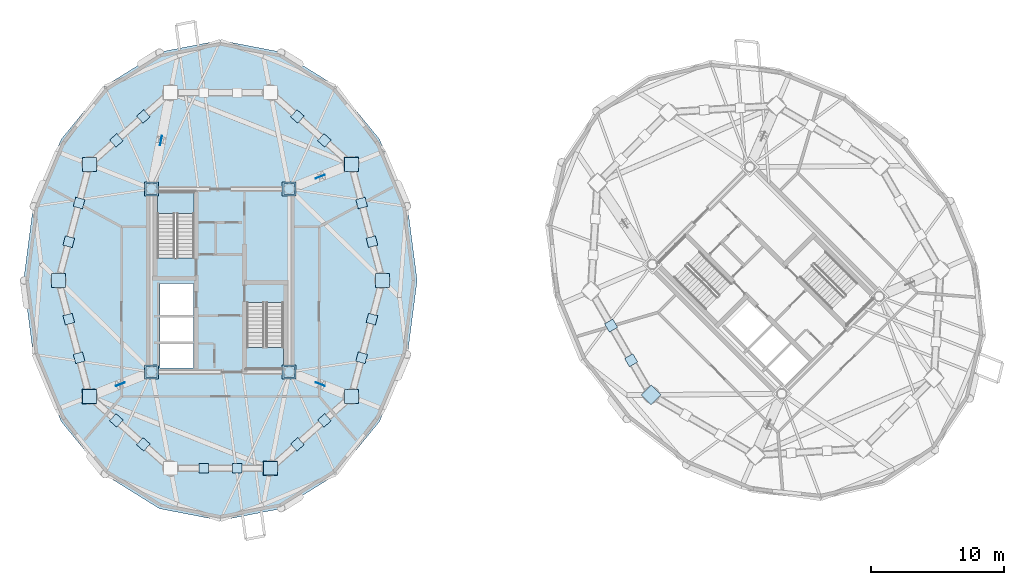
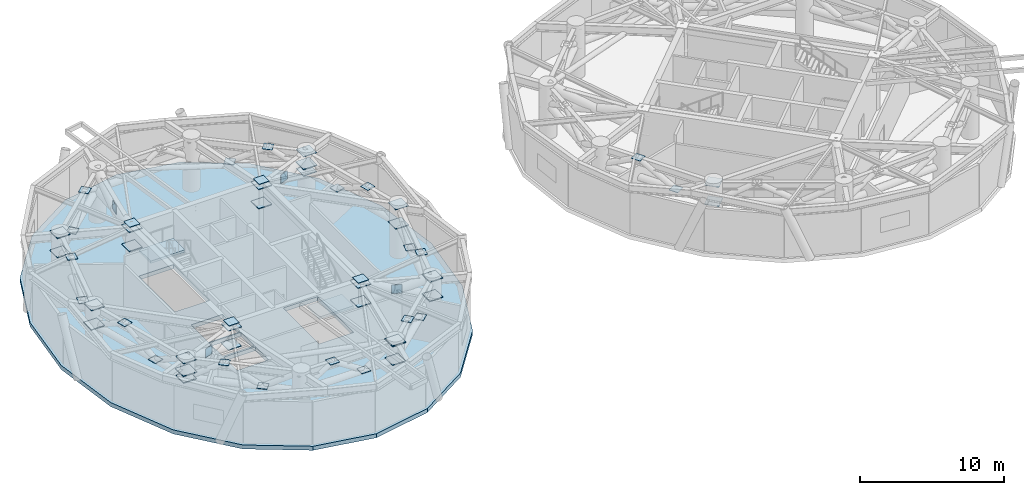
# One storey, part 6 of 16: 55 plates, 3 slabs, 2 elements without a shape of their own.
"""IFC4 building model written with IfcOpenShell, lengths in metres."""

from ifc_helpers import new_model, si_unit, direction, frame, origin, origin_2d, place, context, subcontext, project, spatial, polyline, rectangle, outline, extrude, source, transform, mapped, material, layer, layer_set, type_object, element, aggregate, save


model = new_model("IFC4")

# Units and contexts
model_context = context("Model", 3, precision=1e-05, world=origin(), true_north=direction((0.0, 1.0)))
body_context = subcontext(model_context, "Body", "Model", "MODEL_VIEW")
ifc_project = project(units=[si_unit("LENGTHUNIT", "METRE"), si_unit("AREAUNIT", "SQUARE_METRE"), si_unit("VOLUMEUNIT", "CUBIC_METRE"), si_unit("PLANEANGLEUNIT", "RADIAN"), si_unit("MASSUNIT", "GRAM", prefix="KILO")], contexts=[model_context])

# Site, building, storey
site_placement = place(None, origin())
site = spatial("IfcSite", under=ifc_project, at=site_placement, CompositionType="ELEMENT")
building_placement = place(site_placement, origin())
building = spatial("IfcBuilding", under=site, at=building_placement, Name="Cununo Teusaquillo Station Towers", CompositionType="ELEMENT")
storey_placement = place(building_placement, frame((0.0, 0.0, 147.10009765625)))
storey = spatial("IfcBuildingStorey", under=building, at=storey_placement, Name="L46", CompositionType="ELEMENT", Elevation=147.10009765625)

# Slab
ifc_material_1 = material(Name="Concrete C50/60", Category="concrete")
ifc_layer_1 = layer(ifc_material_1, 0.340087890625)
ifc_layer_set_1 = layer_set([ifc_layer_1], Name="Concrete C50/60")
slab_type_1 = type_object("IfcSlabType", Name="SLB-B01-340", PredefinedType="FLOOR", material=ifc_layer_set_1)
slab_1_placement = place(storey_placement, frame((0.0, 0.0, -0.340087890625)))
element("IfcSlab", 1, at=slab_1_placement, inside=storey, type_object=slab_type_1, Name="L46 Tower A Floor Slab", PredefinedType="FLOOR", context=body_context, shape_type="SweptSolid", body=[
    extrude(outline(polyline([(31.294921875, 24.5), (30.57080078125, 30.077880859375), (28.469482421875, 35.109619140625), (25.1962890625, 39.102783203125), (21.072021484375, 41.66650390625), (16.5, 42.550048828125), (11.927978515625, 41.66650390625), (7.8037109375, 39.102783203125), (4.530517578125, 35.109619140625), (2.42919921875, 30.077880859375), (1.705078125, 24.5), (2.42919921875, 18.922119140625), (4.530517578125, 13.890380859375), (7.8037109375, 9.897216796875), (11.927978515625, 7.33349609375), (16.5, 6.449951171875), (21.072021484375, 7.33349609375), (25.1962890625, 9.897216796875), (28.469482421875, 13.890380859375), (30.57080078125, 18.922119140625), (31.294921875, 24.5)]), holes=[polyline([(14.52001953125, 26.176025390625), (14.52001953125, 31.159912109375), (11.760009765625, 31.159912109375), (11.760009765625, 26.176025390625), (14.52001953125, 26.176025390625)]), polyline([(18.47998046875, 22.823974609375), (18.47998046875, 17.840087890625), (21.239990234375, 17.840087890625), (21.239990234375, 22.823974609375), (18.47998046875, 22.823974609375)]), polyline([(11.949951171875, 21.85009765625), (14.47998046875, 21.85009765625), (14.47998046875, 24.25), (11.949951171875, 24.25), (11.949951171875, 21.85009765625)]), polyline([(11.949951171875, 17.89990234375), (14.47998046875, 17.89990234375), (14.47998046875, 19.75), (11.949951171875, 19.75), (11.949951171875, 17.89990234375)]), polyline([(11.949951171875, 19.89990234375), (14.47998046875, 19.89990234375), (14.47998046875, 21.75), (11.949951171875, 21.75), (11.949951171875, 19.89990234375)])]), origin(), (0.0, 0.0, 1.0), 0.340087890625),
])

# Stair, slab
ifc_material_2 = material(Name="Concrete C50/60", Category="concrete")
stair_type = type_object("IfcStairType", Name="ST-TWR-1300", PredefinedType="HALF_TURN_STAIR", material=ifc_material_2)
stair_1_placement = place(storey_placement, origin())
stair_1 = element("IfcStair", 2, at=stair_1_placement, inside=storey, type_object=stair_type, Name="L46 Tower A Protected Core Exit Stair 1", PredefinedType="HALF_TURN_STAIR")
ifc_material_3 = material(Name="Concrete C50/60", Category="concrete")
ifc_layer_2 = layer(ifc_material_3, 0.199951171875)
ifc_layer_set_2 = layer_set([ifc_layer_2], Name="Concrete C50/60")
slab_type_2 = type_object("IfcSlabType", Name="SLB-STAIR-LND", PredefinedType="LANDING", material=ifc_layer_set_2)
slab_2_placement = place(storey_placement, frame((0.0, 0.0, 2.0498046875)))
slab_2 = element("IfcSlab", 3, at=slab_2_placement, type_object=slab_type_2, Name="ST-T1-1 landing 1", PredefinedType="LANDING", context=body_context, shape_type="SweptSolid", body=[
    extrude(outline(polyline([(14.52001953125, 29.530029296875), (14.52001953125, 31.159912109375), (11.760009765625, 31.159912109375), (11.760009765625, 29.530029296875), (14.52001953125, 29.530029296875)])), origin(), (0.0, 0.0, 1.0), 0.2001953125),
])
aggregate(stair_1, [slab_2])

stair_2_placement = place(storey_placement, origin())
stair_2 = element("IfcStair", 4, at=stair_2_placement, inside=storey, type_object=stair_type, Name="L46 Tower A Protected Core Exit Stair 2", PredefinedType="HALF_TURN_STAIR")
slab_3_placement = place(storey_placement, frame((0.0, 0.0, 2.0498046875)))
slab_3 = element("IfcSlab", 5, at=slab_3_placement, type_object=slab_type_2, Name="ST-T1-2 landing 1", PredefinedType="LANDING", context=body_context, shape_type="SweptSolid", body=[
    extrude(outline(polyline([(18.47998046875, 19.469970703125), (18.47998046875, 17.840087890625), (21.239990234375, 17.840087890625), (21.239990234375, 19.469970703125), (18.47998046875, 19.469970703125)])), origin(), (0.0, 0.0, 1.0), 0.2001953125),
])
aggregate(stair_2, [slab_3])

# Plates
ifc_material_4 = material(Name="Steel ASTM A572 Grade 50", Category="steel")
ifc_layer_3 = layer(ifc_material_4, 0.0400390625)
ifc_layer_set_3 = layer_set([ifc_layer_3], Name="Steel ASTM A572 Grade 50")
plate_type_1 = type_object("IfcPlateType", Name="PLT-NODE-CRN1", PredefinedType="USERDEFINED", material=ifc_layer_set_3)
shared_shape_1 = source(origin(), body_context, "Body", "SweptSolid", [
    extrude(rectangle(XDim=0.820068359375, YDim=0.820068359375, at=origin_2d()), origin(), (0.0, 0.0, 1.0), 0.0400390625),
])
for number, where, z_axis, x_axis, name in (
    (6, (11.324951171875, 17.6201171875, 4.5), (0.0, 0.0, 1.0), (1.0, 0.0, 0.0), "L46 Tower A Core Column Sealed Cap Plate 1"),
    (7, (11.324951171875, 31.3798828125, 4.5), (0.0, 0.0, 1.0), (1.0, 0.0, 0.0), "L46 Tower A Core Column Sealed Cap Plate 2"),
    (8, (21.675048828125, 17.6201171875, 4.5), (0.0, 0.0, 1.0), (1.0, 0.0, 0.0), "L46 Tower A Core Column Sealed Cap Plate 3"),
    (9, (21.675048828125, 31.3798828125, 4.5), (0.0, 0.0, 1.0), (1.0, 0.0, 0.0), "L46 Tower A Core Column Sealed Cap Plate 4"),
):
    element("IfcPlate", number, at=place(storey_placement, frame(where, z_axis=z_axis, x_axis=x_axis)), inside=storey, type_object=plate_type_1, Name=name, ObjectType="GUSSET PLATE", PredefinedType="USERDEFINED", context=body_context, shape_type="MappedRepresentation", body=[
        mapped(shared_shape_1, transform((0.0, 0.0, 0.0), x_axis=(1.0, 0.0, 0.0), y_axis=(0.0, 1.0, 0.0), z_axis=(0.0, 0.0, 1.0), scale=1.0)),
    ])
ifc_material_5 = material(Name="Steel ASTM A572 Grade 50", Category="steel")
ifc_layer_4 = layer(ifc_material_5, 0.030029296875)
ifc_layer_set_4 = layer_set([ifc_layer_4], Name="Steel ASTM A572 Grade 50")
plate_type_2 = type_object("IfcPlateType", Name="PLT-NODE-XBR", PredefinedType="USERDEFINED", material=ifc_layer_set_4)
shared_shape_2 = source(origin(), body_context, "Body", "SweptSolid", [
    extrude(rectangle(XDim=0.719970703125, YDim=0.030029296875, at=origin_2d()), origin(), (0.0, 0.0, 1.0), 0.719970703125),
])
for number, where, z_axis, x_axis, name in (
    (10, (12.03173828125, 35.001708984375, 3.02978515625), (0.0, 0.0, 1.0), (0.191494253877, 0.981493734433, 0.0), "L46 Tower A Outrigger X-Crossing Gusset XBP1 1"),
    (11, (24.01123046875, 32.30419921875, 3.02978515625), (0.0, 0.0, 1.0), (0.929840721582, 0.367962270469, 0.0), "L46 Tower A Outrigger X-Crossing Gusset XBP1 2"),
    (12, (8.98876953125, 16.69580078125, 3.02978515625), (0.0, 0.0, 1.0), (-0.929840721582, -0.367962270469, 0.0), "L46 Tower A Outrigger X-Crossing Gusset XBP1 3"),
    (13, (24.01123046875, 16.69580078125, 3.02978515625), (0.0, 0.0, 1.0), (0.929840721582, -0.367962270469, 0.0), "L46 Tower A Outrigger X-Crossing Gusset XBP1 4"),
):
    element("IfcPlate", number, at=place(storey_placement, frame(where, z_axis=z_axis, x_axis=x_axis)), inside=storey, type_object=plate_type_2, Name=name, ObjectType="GUSSET PLATE", PredefinedType="USERDEFINED", context=body_context, shape_type="MappedRepresentation", body=[
        mapped(shared_shape_2, transform((0.0, 0.0, 0.0), x_axis=(1.0, 0.0, 0.0), y_axis=(0.0, 1.0, 0.0), z_axis=(0.0, 0.0, 1.0), scale=1.0)),
    ])
ifc_material_6 = material(Name="Steel ASTM A572 Grade 50", Category="steel")
ifc_layer_5 = layer(ifc_material_6, 0.054931640625)
ifc_layer_set_5 = layer_set([ifc_layer_5], Name="Steel ASTM A572 Grade 50")
plate_type_3 = type_object("IfcPlateType", Name="PLT-NODE-OTN1", PredefinedType="USERDEFINED", material=ifc_layer_set_5)
shared_shape_3 = source(origin(), body_context, "Body", "SweptSolid", [
    extrude(rectangle(XDim=1.050048828125, YDim=1.050048828125, at=origin_2d()), origin(), (0.0, 0.0, 1.0), 0.054931640625),
])
for number, where, z_axis, x_axis, name in (
    (14, (11.324951171875, 31.3798828125, 2.55224609375), (0.0, 0.0, 1.0), (1.0, 0.0, 0.0), "L46 Tower A Outrigger Core Gusset OTN1 1.CB"),
    (15, (11.324951171875, 31.3798828125, 4.17236328125), (0.0, 0.0, 1.0), (1.0, 0.0, 0.0), "L46 Tower A Outrigger Core Gusset OTN1 1.CT"),
    (16, (21.675048828125, 31.3798828125, 2.55224609375), (0.0, 0.0, 1.0), (1.0, 0.0, 0.0), "L46 Tower A Outrigger Core Gusset OTN1 2.CB"),
    (17, (21.675048828125, 31.3798828125, 4.17236328125), (0.0, 0.0, 1.0), (1.0, 0.0, 0.0), "L46 Tower A Outrigger Core Gusset OTN1 2.CT"),
    (18, (11.324951171875, 17.6201171875, 2.55224609375), (0.0, 0.0, 1.0), (1.0, 0.0, 0.0), "L46 Tower A Outrigger Core Gusset OTN1 3.CB"),
    (19, (11.324951171875, 17.6201171875, 4.17236328125), (0.0, 0.0, 1.0), (1.0, 0.0, 0.0), "L46 Tower A Outrigger Core Gusset OTN1 3.CT"),
    (20, (21.675048828125, 17.6201171875, 2.55224609375), (0.0, 0.0, 1.0), (1.0, 0.0, 0.0), "L46 Tower A Outrigger Core Gusset OTN1 4.CB"),
    (21, (21.675048828125, 17.6201171875, 4.17236328125), (0.0, 0.0, 1.0), (1.0, 0.0, 0.0), "L46 Tower A Outrigger Core Gusset OTN1 4.CT"),
    (22, (28.672119140625, 24.5, 2.55224609375), (0.0, 0.0, 1.0), (1.0, 0.0, 0.0), "L46 Tower A Belt Truss Column Gusset 01B"),
    (23, (28.672119140625, 24.5, 4.17236328125), (0.0, 0.0, 1.0), (1.0, 0.0, 0.0), "L46 Tower A Belt Truss Column Gusset 01T"),
    (24, (26.347412109375, 33.228515625, 2.55224609375), (0.0, 0.0, 1.0), (1.0, 0.0, 0.0), "L46 Tower A Belt Truss Column Gusset 02B"),
    (25, (26.347412109375, 33.228515625, 4.17236328125), (0.0, 0.0, 1.0), (1.0, 0.0, 0.0), "L46 Tower A Belt Truss Column Gusset 02T"),
    (26, (6.652587890625, 33.228515625, 2.55224609375), (0.0, 0.0, 1.0), (1.0, 0.0, 0.0), "L46 Tower A Belt Truss Column Gusset 05B"),
    (27, (6.652587890625, 33.228515625, 4.17236328125), (0.0, 0.0, 1.0), (1.0, 0.0, 0.0), "L46 Tower A Belt Truss Column Gusset 05T"),
    (28, (4.327880859375, 24.5, 2.55224609375), (0.0, 0.0, 1.0), (1.0, 0.0, 0.0), "L46 Tower A Belt Truss Column Gusset 06B"),
    (29, (4.327880859375, 24.5, 4.17236328125), (0.0, 0.0, 1.0), (1.0, 0.0, 0.0), "L46 Tower A Belt Truss Column Gusset 06T"),
    (30, (6.652587890625, 15.771484375, 2.55224609375), (0.0, 0.0, 1.0), (1.0, 0.0, 0.0), "L46 Tower A Belt Truss Column Gusset 07B"),
    (31, (6.652587890625, 15.771484375, 4.17236328125), (0.0, 0.0, 1.0), (1.0, 0.0, 0.0), "L46 Tower A Belt Truss Column Gusset 07T"),
    (32, (20.261474609375, 10.376708984375, 2.55224609375), (0.0, 0.0, 1.0), (1.0, 0.0, 0.0), "L46 Tower A Belt Truss Column Gusset 09B"),
    (33, (20.261474609375, 10.376708984375, 4.17236328125), (0.0, 0.0, 1.0), (1.0, 0.0, 0.0), "L46 Tower A Belt Truss Column Gusset 09T"),
    (34, (26.347412109375, 15.771484375, 2.55224609375), (0.0, 0.0, 1.0), (1.0, 0.0, 0.0), "L46 Tower A Belt Truss Column Gusset 10B"),
    (35, (26.347412109375, 15.771484375, 4.17236328125), (0.0, 0.0, 1.0), (1.0, 0.0, 0.0), "L46 Tower A Belt Truss Column Gusset 10T"),
    (36, (48.89306640625, 15.89306640625, 2.55224609375), (0.0, 0.0, 1.0), (0.707106781187, 0.707106781187, 0.0), "L46 Tower B Belt Truss Column Gusset 06B"),
    (37, (48.89306640625, 15.89306640625, 4.17236328125), (0.0, 0.0, 1.0), (0.707106781187, 0.707106781187, 0.0), "L46 Tower B Belt Truss Column Gusset 06T"),
):
    element("IfcPlate", number, at=place(storey_placement, frame(where, z_axis=z_axis, x_axis=x_axis)), inside=storey, type_object=plate_type_3, Name=name, ObjectType="GUSSET PLATE", PredefinedType="USERDEFINED", context=body_context, shape_type="MappedRepresentation", body=[
        mapped(shared_shape_3, transform((0.0, 0.0, 0.0), x_axis=(1.0, 0.0, 0.0), y_axis=(0.0, 1.0, 0.0), z_axis=(0.0, 0.0, 1.0), scale=1.0)),
    ])
shared_shape_4 = source(origin(), body_context, "Body", "SweptSolid", [
    extrude(rectangle(XDim=0.719970703125, YDim=0.719970703125, at=origin_2d()), origin(), (0.0, 0.0, 1.0), 0.030029296875),
])
for number, where, z_axis, x_axis, name in (
    (38, (27.897216796875, 27.409423828125, 4.18505859375), (0.0, 0.0, 1.0), (-0.257301453681, 0.966331186464, 0.0), "L46 Tower A Belt Web Node Gusset XBP1 01T1"),
    (39, (27.122314453125, 30.319091796875, 2.56494140625), (0.0, 0.0, 1.0), (-0.257301453681, 0.966331186464, 0.0), "L46 Tower A Belt Web Node Gusset XBP1 01B2"),
    (40, (24.318603515625, 35.02685546875, 4.18505859375), (0.0, 0.0, 1.0), (-0.748377190605, 0.66327338299, 0.0), "L46 Tower A Belt Web Node Gusset XBP1 02T1"),
    (41, (22.2900390625, 36.824951171875, 2.56494140625), (0.0, 0.0, 1.0), (-0.748377190605, 0.66327338299, 0.0), "L46 Tower A Belt Web Node Gusset XBP1 02B2"),
    (42, (10.7099609375, 36.824951171875, 4.18505859375), (0.0, 0.0, 1.0), (-0.748377190605, -0.66327338299, 0.0), "L46 Tower A Belt Web Node Gusset XBP1 04T1"),
    (43, (8.681396484375, 35.02685546875, 2.56494140625), (0.0, 0.0, 1.0), (-0.748377190605, -0.66327338299, 0.0), "L46 Tower A Belt Web Node Gusset XBP1 04B2"),
    (44, (5.877685546875, 30.319091796875, 4.18505859375), (0.0, 0.0, 1.0), (-0.257301453681, -0.966331186464, 0.0), "L46 Tower A Belt Web Node Gusset XBP1 05T1"),
    (45, (5.102783203125, 27.409423828125, 2.56494140625), (0.0, 0.0, 1.0), (-0.257301453681, -0.966331186464, 0.0), "L46 Tower A Belt Web Node Gusset XBP1 05B2"),
    (46, (5.102783203125, 21.590576171875, 4.18505859375), (0.0, 0.0, 1.0), (0.257301453681, -0.966331186464, 0.0), "L46 Tower A Belt Web Node Gusset XBP1 06T1"),
    (47, (5.877685546875, 18.680908203125, 2.56494140625), (0.0, 0.0, 1.0), (0.257301453681, -0.966331186464, 0.0), "L46 Tower A Belt Web Node Gusset XBP1 06B2"),
    (48, (8.681396484375, 13.97314453125, 4.18505859375), (0.0, 0.0, 1.0), (0.748377190605, -0.66327338299, 0.0), "L46 Tower A Belt Web Node Gusset XBP1 07T1"),
    (49, (10.7099609375, 12.175048828125, 2.56494140625), (0.0, 0.0, 1.0), (0.748377190605, -0.66327338299, 0.0), "L46 Tower A Belt Web Node Gusset XBP1 07B2"),
    (50, (15.24609375, 10.376708984375, 4.18505859375), (0.0, 0.0, 1.0), (1.0, 0.0, 0.0), "L46 Tower A Belt Web Node Gusset XBP1 08T1"),
    (51, (17.75390625, 10.376708984375, 2.56494140625), (0.0, 0.0, 1.0), (1.0, 0.0, 0.0), "L46 Tower A Belt Web Node Gusset XBP1 08B2"),
    (52, (22.2900390625, 12.175048828125, 4.18505859375), (0.0, 0.0, 1.0), (0.748377190605, 0.66327338299, 0.0), "L46 Tower A Belt Web Node Gusset XBP1 09T1"),
    (53, (24.318603515625, 13.97314453125, 2.56494140625), (0.0, 0.0, 1.0), (0.748377190605, 0.66327338299, 0.0), "L46 Tower A Belt Web Node Gusset XBP1 09B2"),
    (54, (27.122314453125, 18.680908203125, 4.18505859375), (0.0, 0.0, 1.0), (0.257301453681, 0.966331186464, 0.0), "L46 Tower A Belt Web Node Gusset XBP1 10T1"),
    (55, (27.897216796875, 21.590576171875, 2.56494140625), (0.0, 0.0, 1.0), (0.257301453681, 0.966331186464, 0.0), "L46 Tower A Belt Web Node Gusset XBP1 10B2"),
    (56, (45.874267578125, 21.103515625, 4.18505859375), (0.0, 0.0, 1.0), (0.501359732114, -0.865238937528, 0.0), "L46 Tower B Belt Web Node Gusset XBP1 05T1"),
    (57, (47.383544921875, 18.498291015625, 2.56494140625), (0.0, 0.0, 1.0), (0.501359732114, -0.865238937528, 0.0), "L46 Tower B Belt Web Node Gusset XBP1 05B2"),
):
    element("IfcPlate", number, at=place(storey_placement, frame(where, z_axis=z_axis, x_axis=x_axis)), inside=storey, type_object=plate_type_2, Name=name, ObjectType="GUSSET PLATE", PredefinedType="USERDEFINED", context=body_context, shape_type="MappedRepresentation", body=[
        mapped(shared_shape_4, transform((0.0, 0.0, 0.0), x_axis=(1.0, 0.0, 0.0), y_axis=(0.0, 1.0, 0.0), z_axis=(0.0, 0.0, 1.0), scale=1.0)),
    ])
ifc_material_7 = material(Name="Steel ASTM A572 Grade 50", Category="steel")
ifc_layer_6 = layer(ifc_material_7, 0.06005859375)
ifc_layer_set_6 = layer_set([ifc_layer_6], Name="Steel ASTM A572 Grade 50")
plate_type_4 = type_object("IfcPlateType", Name="PLT-NODE-SBN1", PredefinedType="USERDEFINED", material=ifc_layer_set_6)
shared_shape_5 = source(origin(), body_context, "Body", "SweptSolid", [
    extrude(rectangle(XDim=1.10009765625, YDim=1.10009765625, at=origin_2d()), origin(), (0.0, 0.0, 1.0), 0.06005859375),
])
for number, where, z_axis, x_axis, name in (
    (58, (26.347412109375, 33.228515625, 3.119873046875), (0.0, 0.0, 1.0), (1.0, 0.0, 0.0), "L46 Tower A Bridge Zone Node Plate SBN1 1A"),
    (59, (6.652587890625, 15.771484375, 3.119873046875), (0.0, 0.0, 1.0), (1.0, 0.0, 0.0), "L46 Tower A Bridge Zone Node Plate SBN1 2A"),
    (60, (20.261474609375, 10.376708984375, 4.1298828125), (0.0, 0.0, 1.0), (1.0, 0.0, 0.0), "L46 Tower A Bridge Zone Node Plate SBN1 2B"),
):
    element("IfcPlate", number, at=place(storey_placement, frame(where, z_axis=z_axis, x_axis=x_axis)), inside=storey, type_object=plate_type_4, Name=name, ObjectType="GUSSET PLATE", PredefinedType="USERDEFINED", context=body_context, shape_type="MappedRepresentation", body=[
        mapped(shared_shape_5, transform((0.0, 0.0, 0.0), x_axis=(1.0, 0.0, 0.0), y_axis=(0.0, 1.0, 0.0), z_axis=(0.0, 0.0, 1.0), scale=1.0)),
    ])

save(model, "model.ifc")
